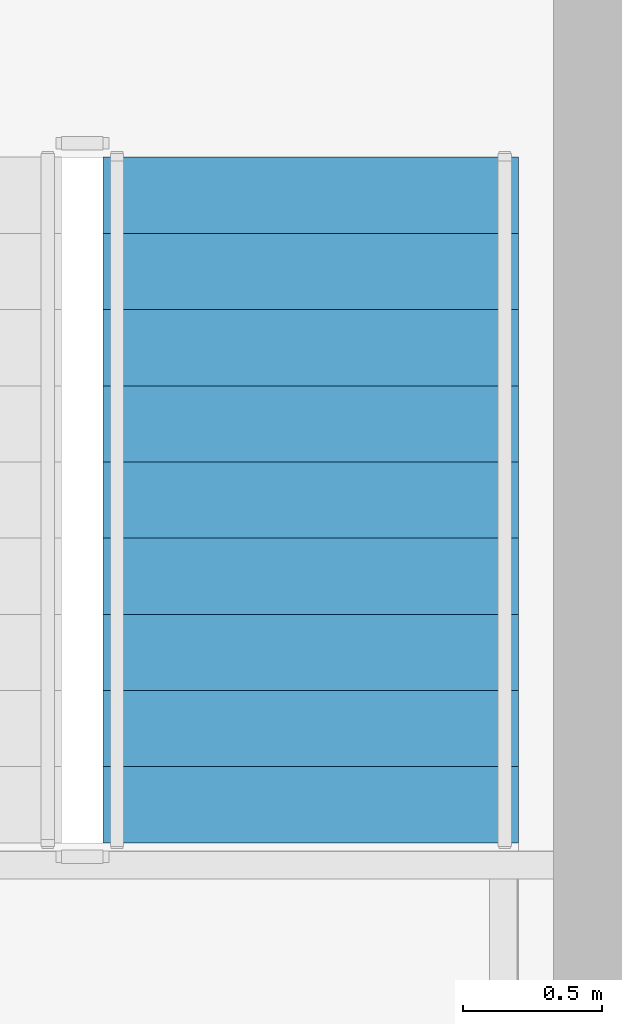
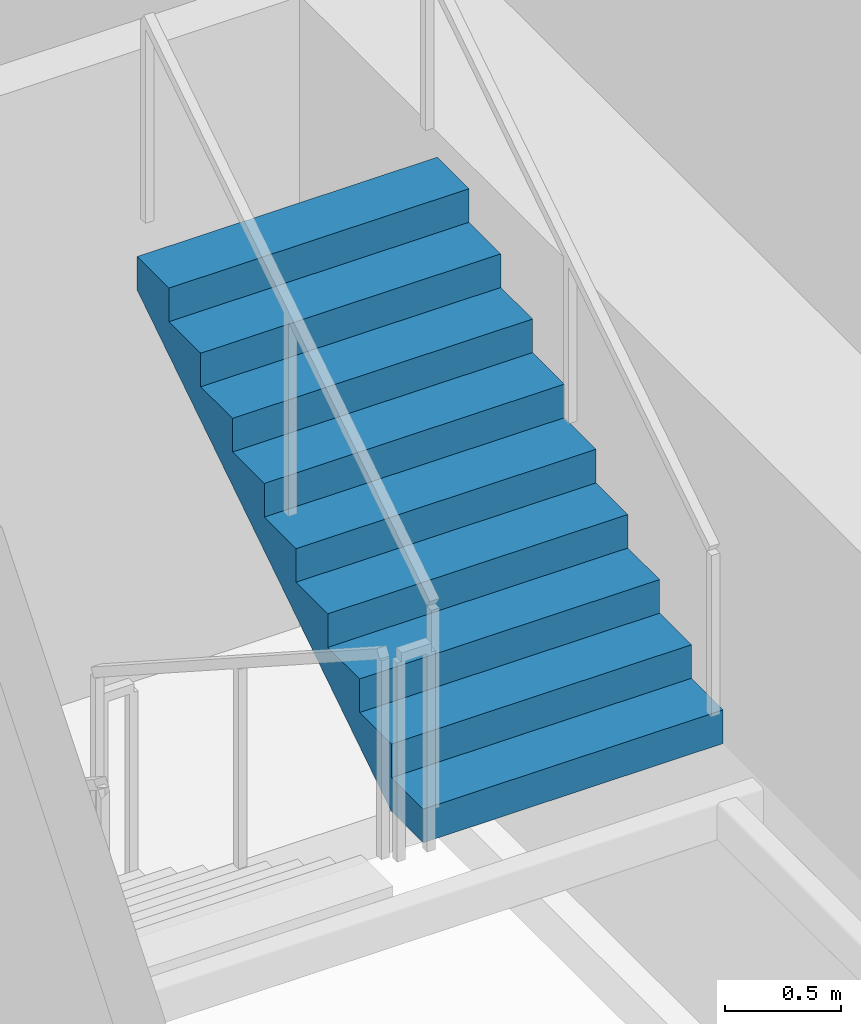
# One storey, part 8 of 11: 1 stair flight, 1 element without a shape of its own.
"""IFC4 building model written with IfcOpenShell, lengths in metres."""

from ifc_helpers import new_model, si_unit, direction, frame, origin, place, context, subcontext, project, spatial, polyline, outline, extrude, material, type_object, element, aggregate, save


model = new_model("IFC4")

# Units and contexts
model_context = context("Model", 3, precision=1e-05, world=origin(), true_north=direction((0.0, 1.0)))
body_context = subcontext(model_context, "Body", "Model", "MODEL_VIEW")
ifc_project = project(units=[si_unit("LENGTHUNIT", "METRE"), si_unit("AREAUNIT", "SQUARE_METRE"), si_unit("VOLUMEUNIT", "CUBIC_METRE"), si_unit("PLANEANGLEUNIT", "RADIAN"), si_unit("MASSUNIT", "GRAM", prefix="KILO")], contexts=[model_context])

# Site, building, storey
site_placement = place(None, origin())
site = spatial("IfcSite", under=ifc_project, at=site_placement, CompositionType="ELEMENT")
building_placement = place(site_placement, origin())
building = spatial("IfcBuilding", under=site, at=building_placement, Name="Cinnabar Lancet Tower", CompositionType="ELEMENT")
storey_placement = place(building_placement, frame((0.0, 0.0, 90.64990234375)))
storey = spatial("IfcBuildingStorey", under=building, at=storey_placement, Name="L23", CompositionType="ELEMENT", Elevation=90.64990234375)

# Stair, stair flight
ifc_material_1 = material(Name="Concrete C40/50", Category="concrete")
stair_type = type_object("IfcStairType", Name="ST-CORE", PredefinedType="HALF_TURN_STAIR", material=ifc_material_1)
stair_placement = place(storey_placement, origin())
stair = element("IfcStair", 1, at=stair_placement, inside=storey, type_object=stair_type, Name="L23 ST-2", PredefinedType="HALF_TURN_STAIR")
ifc_material_2 = material(Name="Concrete C40/50", Category="concrete")
stair_flight_type = type_object("IfcStairFlightType", Name="FLIGHT-CORE", PredefinedType="STRAIGHT", material=ifc_material_2)
stair_flight_placement = place(storey_placement, frame((40.52490234375, 25.925048828125, 1.775146484375), z_axis=(0.0, 0.0, 1.0), x_axis=(0.0, 1.0, 0.0)))
stair_flight = element("IfcStairFlight", 2, at=stair_flight_placement, type_object=stair_flight_type, Name="ST-2 flight 2", NumberOfRisers=10, NumberOfTreads=9, PredefinedType="STRAIGHT", RiserHeight=0.1775, TreadLength=0.275, context=body_context, shape_type="SweptSolid", body=[
    extrude(outline(polyline([(0.0, 0.0), (0.0, 0.177490234375), (0.27490234375, 0.177490234375), (0.27490234375, 0.35498046875), (0.550048828125, 0.35498046875), (0.550048828125, 0.532470703125), (0.824951171875, 0.532470703125), (0.824951171875, 0.7099609375), (1.10009765625, 0.7099609375), (1.10009765625, 0.887451171875), (1.375, 0.887451171875), (1.375, 1.06494140625), (1.64990234375, 1.06494140625), (1.64990234375, 1.242431640625), (1.925048828125, 1.242431640625), (1.925048828125, 1.419921875), (2.199951171875, 1.419921875), (2.199951171875, 1.597412109375), (2.47509765625, 1.597412109375), (2.47509765625, 1.77490234375), (2.47509765625, 1.419189453125), (0.2763671875, 0.0), (0.0, 0.0)])), frame((0.0, 0.75, 0.0), z_axis=(0.0, -1.0, 0.0), x_axis=(1.0, 0.0, 0.0)), (0.0, 0.0, 1.0), 1.5),
])
aggregate(stair, [stair_flight])

save(model, "model.ifc")
